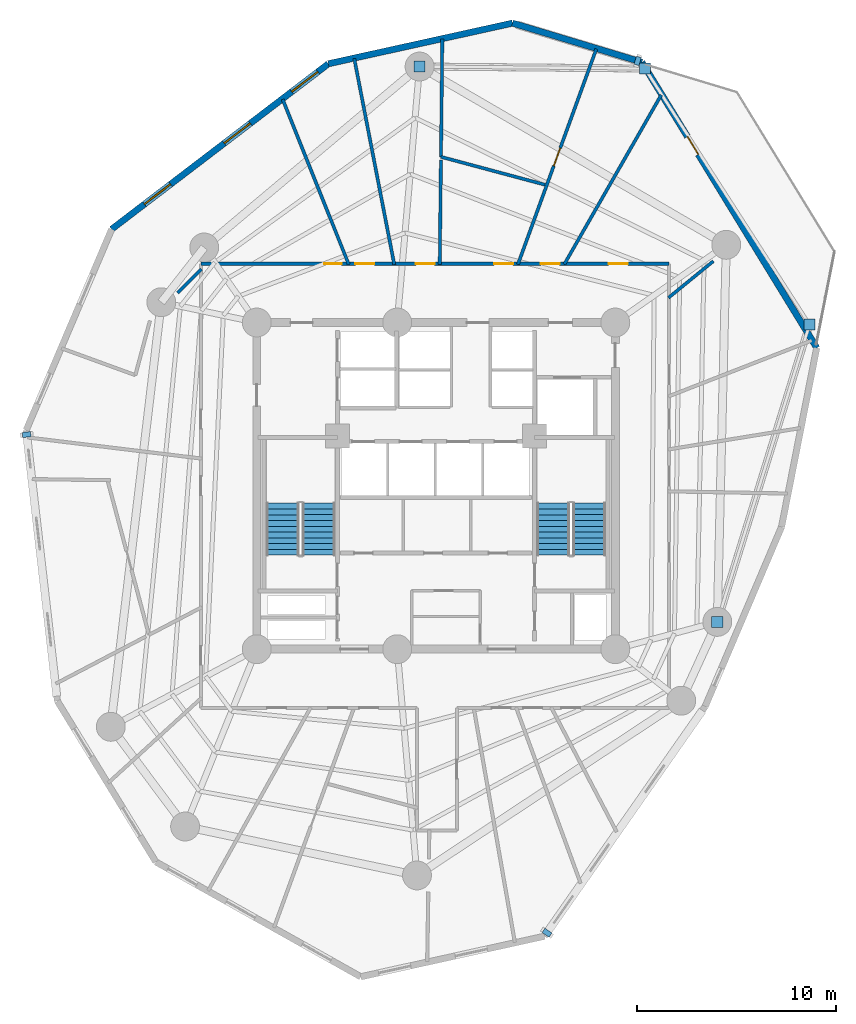
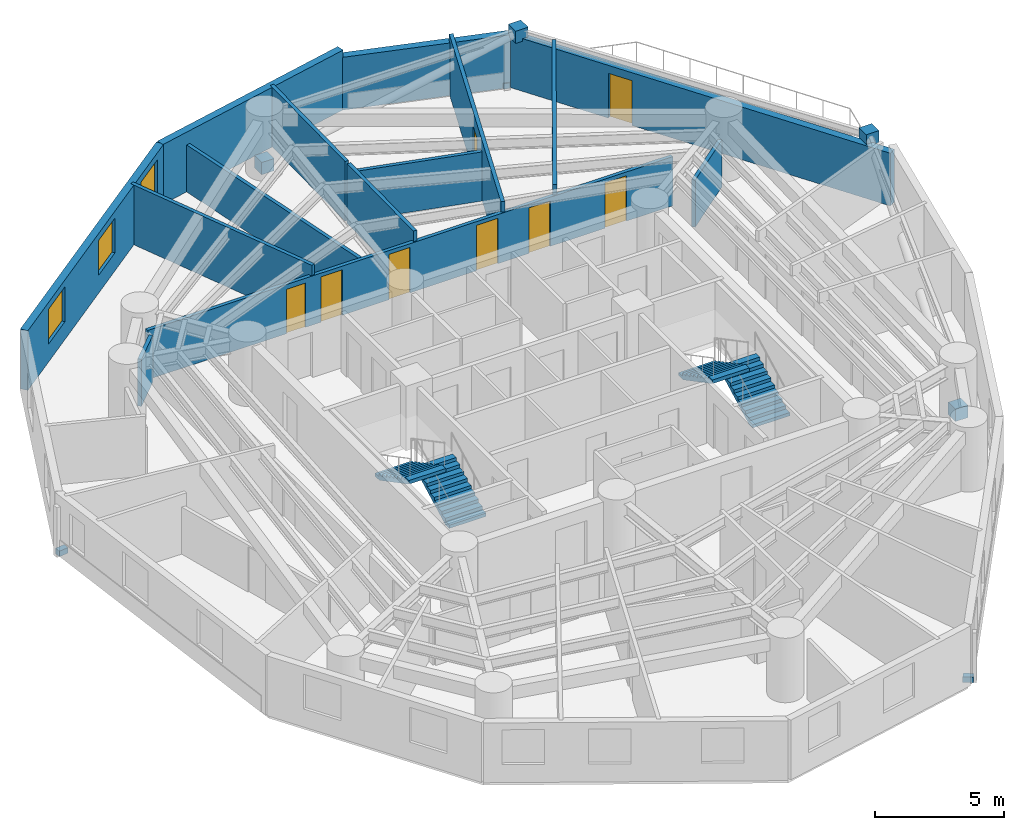
# One storey, part 6 of 9: 14 walls, 8 doors, 7 discrete accessories, 4 stair flights, 3 windows, 11 openings, 2 elements without a shape of their own.
"""IFC4 building model written with IfcOpenShell, lengths in metres."""

from ifc_helpers import new_model, si_unit, direction, frame, frame_2d, origin, origin_with_axes, origin_2d, place, context, subcontext, project, spatial, polyline, rectangle, outline, extrude, source, transform, mapped, material, layer, layer_set, type_object, element, fill, aggregate, save


model = new_model("IFC4")

# Units and contexts
model_context = context("Model", 3, precision=1e-05, world=origin(), true_north=direction((0.0, 1.0)))
body_context = subcontext(model_context, "Body", "Model", "MODEL_VIEW")
ifc_project = project(units=[si_unit("LENGTHUNIT", "METRE"), si_unit("AREAUNIT", "SQUARE_METRE"), si_unit("VOLUMEUNIT", "CUBIC_METRE"), si_unit("PLANEANGLEUNIT", "RADIAN"), si_unit("MASSUNIT", "GRAM", prefix="KILO")], contexts=[model_context])

# Site, building, storey
site_placement = place(None, origin())
site = spatial("IfcSite", under=ifc_project, at=site_placement, CompositionType="ELEMENT")
building_placement = place(site_placement, origin())
building = spatial("IfcBuilding", under=site, at=building_placement, Name="Karkom Vertical University and Central Library", CompositionType="ELEMENT")
storey_placement = place(building_placement, frame((0.0, 0.0, 129.75)))
storey = spatial("IfcBuildingStorey", under=building, at=storey_placement, Name="L36", CompositionType="ELEMENT", Elevation=129.75)

# Wall, opening, door
ifc_material_1 = material(Name="Brick-faced precast concrete C45/55", Category="masonry")
ifc_layer_1 = layer(ifc_material_1, 0.320068359375)
ifc_layer_set_1 = layer_set([ifc_layer_1], Name="Brick-faced precast concrete C45/55")
wall_type_1 = type_object("IfcWallType", Name="ENV-WL-BRK-320", PredefinedType="SOLIDWALL", material=ifc_layer_set_1)
wall_1_placement = place(storey_placement, frame((47.615478515625, 33.42529296875, 0.0), z_axis=(0.0, 0.0, 1.0), x_axis=(-0.522110980626, 0.852877555051, 0.0)))
wall_1 = element("IfcWall", 1, at=wall_1_placement, inside=storey, type_object=wall_type_1, Name="Level 36 Brick-Faced Precast Facade Wall 08", PredefinedType="SOLIDWALL", context=body_context, shape_type="SweptSolid", body=[
    extrude(rectangle(XDim=16.819091796875, YDim=0.320068359375, at=frame_2d((8.40966796875, 0.0))), origin(), (0.0, 0.0, 1.0), 2.4951171875),
])
opening_1_placement = place(wall_1_placement, frame((11.388427734375, 0.0, 0.0)))
opening_1 = element("IfcOpeningElement", 2, at=opening_1_placement, cuts=wall_1, Name="Opening TD-1", PredefinedType="OPENING", context=body_context, shape_type="SweptSolid", body=[
    extrude(rectangle(XDim=1.050048828125, YDim=2.1201171875, at=frame_2d((0.52490234375, 1.06005859375))), frame((0.0, 0.169921875, 0.0), z_axis=(0.0, -1.0, 0.0), x_axis=(1.0, 0.0, 0.0)), (0.0, 0.0, 1.0), 0.340087890625),
])
ifc_material_2 = material(Name="Thermally broken glazed aluminium terrace door", Category="aluminium")
door_type_1 = type_object("IfcDoorType", Name="ENV-DR-TERR", OperationType="NOTDEFINED", PredefinedType="DOOR", material=ifc_material_2)
shared_shape_1 = source(origin_with_axes(), body_context, "Body", "SweptSolid", [
    extrude(rectangle(XDim=1.050048828125, YDim=2.1201171875, at=frame_2d((0.52490234375, 1.06005859375))), frame((0.0, 0.02490234375, 0.0), z_axis=(0.0, -1.0, 0.0), x_axis=(1.0, 0.0, 0.0)), (0.0, 0.0, 1.0), 0.050048828125),
])
door_1_placement = place(opening_1_placement, origin())
door_1 = element("IfcDoor", 3, at=door_1_placement, inside=storey, type_object=door_type_1, Name="Level 36 Outdoor Terrace Access Door", OperationType="SINGLE_SWING_RIGHT", OverallHeight=2.1201171875, OverallWidth=1.050048828125, PredefinedType="DOOR", context=body_context, shape_type="MappedRepresentation", body=[
    mapped(shared_shape_1, transform((0.0, 0.0, 0.0), scale=1.0)),
])
fill(opening_1, door_1)

# Walls
wall_2_placement = place(storey_placement, frame((38.833984375, 47.77001953125, 0.0), z_axis=(0.0, 0.0, 1.0), x_axis=(-0.957328650051, 0.289001480606, 0.0)))
element("IfcWall", 4, at=wall_2_placement, inside=storey, type_object=wall_type_1, Name="Level 36 Brick-Faced Precast Facade Wall 09", PredefinedType="SOLIDWALL", context=body_context, shape_type="SweptSolid", body=[
    extrude(rectangle(XDim=6.784423828125, YDim=0.320068359375, at=frame_2d((3.39208984375, 0.0))), origin(), (0.0, 0.0, 1.0), 2.4951171875),
])
wall_3_placement = place(storey_placement, frame((32.339111328125, 49.730712890625, 0.0), z_axis=(0.0, 0.0, 1.0), x_axis=(-0.97649735888, -0.215529367144, 0.0)))
element("IfcWall", 5, at=wall_3_placement, inside=storey, type_object=wall_type_1, Name="Level 36 Brick-Faced Precast Facade Wall 10", PredefinedType="SOLIDWALL", context=body_context, shape_type="SweptSolid", body=[
    extrude(rectangle(XDim=9.46630859375, YDim=0.320068359375, at=frame_2d((4.733154296875, 0.0))), origin(), (0.0, 0.0, 1.0), 2.824951171875),
])

# Wall, openings, windows
wall_4_placement = place(storey_placement, frame((23.09521484375, 47.6904296875, 0.0), z_axis=(0.0, 0.0, 1.0), x_axis=(-0.794946718948, -0.606679251363, 0.0)))
wall_4 = element("IfcWall", 6, at=wall_4_placement, inside=storey, type_object=wall_type_1, Name="Level 36 Brick-Faced Precast Facade Wall 11", PredefinedType="SOLIDWALL", context=body_context, shape_type="SweptSolid", body=[
    extrude(rectangle(XDim=13.688720703125, YDim=0.320068359375, at=frame_2d((6.84423828125, 0.0))), origin(), (0.0, 0.0, 1.0), 2.824951171875),
])
opening_2_placement = place(wall_4_placement, frame((0.662841796875, 0.0, 0.85009765625)))
opening_2 = element("IfcOpeningElement", 7, at=opening_2_placement, cuts=wall_4, Name="Opening WN-06", PredefinedType="OPENING", context=body_context, shape_type="SweptSolid", body=[
    extrude(rectangle(XDim=1.64990234375, YDim=1.64990234375, at=frame_2d((0.824951171875, 0.824951171875))), frame((0.0, 0.169921875, 0.0), z_axis=(0.0, -1.0, 0.0), x_axis=(1.0, 0.0, 0.0)), (0.0, 0.0, 1.0), 0.340087890625),
])
opening_3_placement = place(wall_4_placement, frame((4.928955078125, 0.0, 0.85009765625)))
opening_3 = element("IfcOpeningElement", 8, at=opening_3_placement, cuts=wall_4, Name="Opening WN-06", PredefinedType="OPENING", context=body_context, shape_type="SweptSolid", body=[
    extrude(rectangle(XDim=1.64990234375, YDim=1.64990234375, at=frame_2d((0.824951171875, 0.824951171875))), frame((0.0, 0.169921875, 0.0), z_axis=(0.0, -1.0, 0.0), x_axis=(1.0, 0.0, 0.0)), (0.0, 0.0, 1.0), 0.340087890625),
])
opening_4_placement = place(wall_4_placement, frame((9.965576171875, 0.0, 0.85009765625)))
opening_4 = element("IfcOpeningElement", 9, at=opening_4_placement, cuts=wall_4, Name="Opening WN-06", PredefinedType="OPENING", context=body_context, shape_type="SweptSolid", body=[
    extrude(rectangle(XDim=1.64990234375, YDim=1.64990234375, at=frame_2d((0.824951171875, 0.824951171875))), frame((0.0, 0.169921875, 0.0), z_axis=(0.0, -1.0, 0.0), x_axis=(1.0, 0.0, 0.0)), (0.0, 0.0, 1.0), 0.340087890625),
])
ifc_material_3 = material(Name="Aluminium thermal-break frame with solar-control IGU", Category="aluminium")
window_type = type_object("IfcWindowType", Name="ENV-WIN-WN-06", PartitioningType="SINGLE_PANEL", PredefinedType="WINDOW", material=ifc_material_3)
shared_shape_2 = source(origin_with_axes(), body_context, "Body", "SweptSolid", [
    extrude(rectangle(XDim=1.64990234375, YDim=1.64990234375, at=frame_2d((0.824951171875, 0.824951171875))), frame((0.0, 0.030029296875, 0.0), z_axis=(0.0, -1.0, 0.0), x_axis=(1.0, 0.0, 0.0)), (0.0, 0.0, 1.0), 0.06005859375),
])
window_1_placement = place(opening_2_placement, origin())
window_1 = element("IfcWindow", 10, at=window_1_placement, inside=storey, type_object=window_type, Name="Level 36 Punched Window 11.1", OverallHeight=1.64990234375, OverallWidth=1.64990234375, PartitioningType="SINGLE_PANEL", PredefinedType="WINDOW", context=body_context, shape_type="MappedRepresentation", body=[
    mapped(shared_shape_2, transform((0.0, 0.0, 0.0), scale=1.0)),
])
fill(opening_2, window_1)
window_2_placement = place(opening_3_placement, origin())
window_2 = element("IfcWindow", 11, at=window_2_placement, inside=storey, type_object=window_type, Name="Level 36 Punched Window 11.2", OverallHeight=1.64990234375, OverallWidth=1.64990234375, PartitioningType="SINGLE_PANEL", PredefinedType="WINDOW", context=body_context, shape_type="MappedRepresentation", body=[
    mapped(shared_shape_2, transform((0.0, 0.0, 0.0), scale=1.0)),
])
fill(opening_3, window_2)
window_3_placement = place(opening_4_placement, origin())
window_3 = element("IfcWindow", 12, at=window_3_placement, inside=storey, type_object=window_type, Name="Level 36 Punched Window 11.3", OverallHeight=1.64990234375, OverallWidth=1.64990234375, PartitioningType="SINGLE_PANEL", PredefinedType="WINDOW", context=body_context, shape_type="MappedRepresentation", body=[
    mapped(shared_shape_2, transform((0.0, 0.0, 0.0), scale=1.0)),
])
fill(opening_4, window_3)

# Wall, openings, doors
ifc_material_4 = material(Name="Insulated metal-stud drywall 160mm", Category="gypsum")
ifc_layer_2 = layer(ifc_material_4, 0.159912109375)
ifc_layer_set_2 = layer_set([ifc_layer_2], Name="Insulated metal-stud drywall 160mm")
wall_type_2 = type_object("IfcWallType", Name="INT-WL-COR-160", PredefinedType="PARTITIONING", material=ifc_layer_set_2)
wall_5_placement = place(storey_placement, frame((16.699951171875, 37.64990234375, 0.0), z_axis=(0.0, 0.0, 1.0), x_axis=(1.0, 0.0, 0.0)))
wall_5 = element("IfcWall", 13, at=wall_5_placement, inside=storey, type_object=wall_type_2, Name="Level 36 Interior Partition Wall L36-CORW-CW-003", PredefinedType="PARTITIONING", context=body_context, shape_type="SweptSolid", body=[
    extrude(rectangle(XDim=23.5, YDim=0.159912109375, at=frame_2d((11.75, 0.0))), origin(), (0.0, 0.0, 1.0), 2.324951171875),
])
opening_5_placement = place(wall_5_placement, frame((20.464599609375, 0.0, 0.0)))
opening_5 = element("IfcOpeningElement", 14, at=opening_5_placement, cuts=wall_5, Name="Opening FD-RM2", PredefinedType="OPENING", context=body_context, shape_type="SweptSolid", body=[
    extrude(rectangle(XDim=0.9599609375, YDim=2.14990234375, at=frame_2d((0.47998046875, 1.074951171875))), frame((0.0, 0.08984375, 0.0), z_axis=(0.0, -1.0, 0.0), x_axis=(1.0, 0.0, 0.0)), (0.0, 0.0, 1.0), 0.179931640625),
])
opening_6_placement = place(wall_5_placement, frame((17.06005859375, 0.0, 0.0)))
opening_6 = element("IfcOpeningElement", 15, at=opening_6_placement, cuts=wall_5, Name="Opening D-RM1", PredefinedType="OPENING", context=body_context, shape_type="SweptSolid", body=[
    extrude(rectangle(XDim=0.949951171875, YDim=2.14990234375, at=frame_2d((0.47509765625, 1.074951171875))), frame((0.0, 0.08984375, 0.0), z_axis=(0.0, -1.0, 0.0), x_axis=(1.0, 0.0, 0.0)), (0.0, 0.0, 1.0), 0.179931640625),
])
opening_7_placement = place(wall_5_placement, frame((14.7099609375, 0.0, 0.0)))
opening_7 = element("IfcOpeningElement", 16, at=opening_7_placement, cuts=wall_5, Name="Opening FD-RM2", PredefinedType="OPENING", context=body_context, shape_type="SweptSolid", body=[
    extrude(rectangle(XDim=0.9599609375, YDim=2.14990234375, at=frame_2d((0.47998046875, 1.074951171875))), frame((0.0, 0.08984375, 0.0), z_axis=(0.0, -1.0, 0.0), x_axis=(1.0, 0.0, 0.0)), (0.0, 0.0, 1.0), 0.179931640625),
])
opening_8_placement = place(wall_5_placement, frame((10.784912109375, 0.0, 0.0)))
opening_8 = element("IfcOpeningElement", 17, at=opening_8_placement, cuts=wall_5, Name="Opening D-RM1", PredefinedType="OPENING", context=body_context, shape_type="SweptSolid", body=[
    extrude(rectangle(XDim=0.949951171875, YDim=2.14990234375, at=frame_2d((0.47509765625, 1.074951171875))), frame((0.0, 0.08984375, 0.0), z_axis=(0.0, -1.0, 0.0), x_axis=(1.0, 0.0, 0.0)), (0.0, 0.0, 1.0), 0.179931640625),
])
opening_9_placement = place(wall_5_placement, frame((7.75, 0.0, 0.0)))
opening_9 = element("IfcOpeningElement", 18, at=opening_9_placement, cuts=wall_5, Name="Opening D-RM1", PredefinedType="OPENING", context=body_context, shape_type="SweptSolid", body=[
    extrude(rectangle(XDim=0.949951171875, YDim=2.14990234375, at=frame_2d((0.47509765625, 1.074951171875))), frame((0.0, 0.08984375, 0.0), z_axis=(0.0, -1.0, 0.0), x_axis=(1.0, 0.0, 0.0)), (0.0, 0.0, 1.0), 0.179931640625),
])
opening_10_placement = place(wall_5_placement, frame((6.1953125, 0.0, 0.0)))
opening_10 = element("IfcOpeningElement", 19, at=opening_10_placement, cuts=wall_5, Name="Opening FD-BTH1", PredefinedType="OPENING", context=body_context, shape_type="SweptSolid", body=[
    extrude(rectangle(XDim=0.860107421875, YDim=2.10009765625, at=frame_2d((0.43017578125, 1.050048828125))), frame((0.0, 0.08984375, 0.0), z_axis=(0.0, -1.0, 0.0), x_axis=(1.0, 0.0, 0.0)), (0.0, 0.0, 1.0), 0.179931640625),
])
ifc_material_5 = material(Name="Fire-rated oak veneer door", Category="wood")
door_type_2 = type_object("IfcDoorType", Name="INT-DR-FRM2", OperationType="NOTDEFINED", PredefinedType="DOOR", material=ifc_material_5)
shared_shape_3 = source(origin_with_axes(), body_context, "Body", "SweptSolid", [
    extrude(rectangle(XDim=0.9599609375, YDim=2.14990234375, at=frame_2d((0.47998046875, 1.074951171875))), frame((0.0, 0.02490234375, 0.0), z_axis=(0.0, -1.0, 0.0), x_axis=(1.0, 0.0, 0.0)), (0.0, 0.0, 1.0), 0.050048828125),
])
door_2_placement = place(opening_5_placement, origin())
door_2 = element("IfcDoor", 20, at=door_2_placement, inside=storey, type_object=door_type_2, Name="Level 36 Room Entry Door 150", OperationType="SINGLE_SWING_LEFT", OverallHeight=2.14990234375, OverallWidth=0.9599609375, PredefinedType="DOOR", context=body_context, shape_type="MappedRepresentation", body=[
    mapped(shared_shape_3, transform((0.0, 0.0, 0.0), scale=1.0)),
])
fill(opening_5, door_2)
door_3_placement = place(opening_7_placement, origin())
door_3 = element("IfcDoor", 21, at=door_3_placement, inside=storey, type_object=door_type_2, Name="Level 36 Room Entry Door 180", OperationType="SINGLE_SWING_LEFT", OverallHeight=2.14990234375, OverallWidth=0.9599609375, PredefinedType="DOOR", context=body_context, shape_type="MappedRepresentation", body=[
    mapped(shared_shape_3, transform((0.0, 0.0, 0.0), scale=1.0)),
])
fill(opening_7, door_3)
ifc_material_6 = material(Name="Fire-rated moisture-resistant oak door", Category="wood")
door_type_3 = type_object("IfcDoorType", Name="INT-DR-FBTH1", OperationType="NOTDEFINED", PredefinedType="DOOR", material=ifc_material_6)
shared_shape_4 = source(origin_with_axes(), body_context, "Body", "SweptSolid", [
    extrude(rectangle(XDim=0.860107421875, YDim=2.10009765625, at=frame_2d((0.43017578125, 1.050048828125))), frame((0.0, 0.02490234375, 0.0), z_axis=(0.0, -1.0, 0.0), x_axis=(1.0, 0.0, 0.0)), (0.0, 0.0, 1.0), 0.050048828125),
])
door_4_placement = place(opening_10_placement, origin())
door_4 = element("IfcDoor", 22, at=door_4_placement, inside=storey, type_object=door_type_3, Name="Level 36 Room Entry Door 210", OperationType="SINGLE_SWING_RIGHT", OverallHeight=2.10009765625, OverallWidth=0.860107421875, PredefinedType="DOOR", context=body_context, shape_type="MappedRepresentation", body=[
    mapped(shared_shape_4, transform((0.0, 0.0, 0.0), scale=1.0)),
])
fill(opening_10, door_4)
ifc_material_7 = material(Name="Solid-core oak veneer door", Category="wood")
door_type_4 = type_object("IfcDoorType", Name="INT-DR-RM1", OperationType="NOTDEFINED", PredefinedType="DOOR", material=ifc_material_7)
shared_shape_5 = source(origin_with_axes(), body_context, "Body", "SweptSolid", [
    extrude(rectangle(XDim=0.949951171875, YDim=2.14990234375, at=frame_2d((0.47509765625, 1.074951171875))), frame((0.0, 0.02490234375, 0.0), z_axis=(0.0, -1.0, 0.0), x_axis=(1.0, 0.0, 0.0)), (0.0, 0.0, 1.0), 0.050048828125),
])
door_5_placement = place(opening_6_placement, origin())
door_5 = element("IfcDoor", 23, at=door_5_placement, inside=storey, type_object=door_type_4, Name="Level 36 Room Entry Door 160", OperationType="SINGLE_SWING_RIGHT", OverallHeight=2.14990234375, OverallWidth=0.949951171875, PredefinedType="DOOR", context=body_context, shape_type="MappedRepresentation", body=[
    mapped(shared_shape_5, transform((0.0, 0.0, 0.0), scale=1.0)),
])
fill(opening_6, door_5)
door_6_placement = place(opening_8_placement, origin())
door_6 = element("IfcDoor", 24, at=door_6_placement, inside=storey, type_object=door_type_4, Name="Level 36 Room Entry Door 190", OperationType="SINGLE_SWING_RIGHT", OverallHeight=2.14990234375, OverallWidth=0.949951171875, PredefinedType="DOOR", context=body_context, shape_type="MappedRepresentation", body=[
    mapped(shared_shape_5, transform((0.0, 0.0, 0.0), scale=1.0)),
])
fill(opening_8, door_6)
door_7_placement = place(opening_9_placement, origin())
door_7 = element("IfcDoor", 25, at=door_7_placement, inside=storey, type_object=door_type_4, Name="Level 36 Room Entry Door 200", OperationType="SINGLE_SWING_LEFT", OverallHeight=2.14990234375, OverallWidth=0.949951171875, PredefinedType="DOOR", context=body_context, shape_type="MappedRepresentation", body=[
    mapped(shared_shape_5, transform((0.0, 0.0, 0.0), scale=1.0)),
])
fill(opening_9, door_7)

# Wall, opening, door
wall_6_placement = place(storey_placement, frame((32.61181640625, 37.621826171875, 0.0), z_axis=(0.0, 0.0, 1.0), x_axis=(0.342017337297, 0.939693642092, 0.0)))
wall_6 = element("IfcWall", 26, at=wall_6_placement, inside=storey, type_object=wall_type_2, Name="Level 36 Interior Partition Wall L36-PW-020", PredefinedType="PARTITIONING", context=body_context, shape_type="SweptSolid", body=[
    extrude(rectangle(XDim=11.506103515625, YDim=0.159912109375, at=frame_2d((5.7529296875, 0.0))), origin(), (0.0, 0.0, 1.0), 2.824951171875),
])
opening_11_placement = place(wall_6_placement, frame((5.260498046875, 0.0, 0.0)))
opening_11 = element("IfcOpeningElement", 27, at=opening_11_placement, cuts=wall_6, Name="Opening D-RM1", PredefinedType="OPENING", context=body_context, shape_type="SweptSolid", body=[
    extrude(rectangle(XDim=0.949951171875, YDim=2.14990234375, at=frame_2d((0.47509765625, 1.074951171875))), frame((0.0, 0.08984375, 0.0), z_axis=(0.0, -1.0, 0.0), x_axis=(1.0, 0.0, 0.0)), (0.0, 0.0, 1.0), 0.179931640625),
])
door_8_placement = place(opening_11_placement, origin())
door_8 = element("IfcDoor", 28, at=door_8_placement, inside=storey, type_object=door_type_4, Name="Level 36 Room Entry Door 170", OperationType="SINGLE_SWING_RIGHT", OverallHeight=2.14990234375, OverallWidth=0.949951171875, PredefinedType="DOOR", context=body_context, shape_type="MappedRepresentation", body=[
    mapped(shared_shape_5, transform((0.0, 0.0, 0.0), scale=1.0)),
])
fill(opening_11, door_8)

# Walls
wall_7_placement = place(storey_placement, frame((26.404541015625, 37.60595703125, 0.0), z_axis=(0.0, 0.0, 1.0), x_axis=(-0.19062474147, 0.981662980834, 0.0)))
element("IfcWall", 29, at=wall_7_placement, inside=storey, type_object=wall_type_2, Name="Level 36 Interior Partition Wall L36-PW-024", PredefinedType="PARTITIONING", context=body_context, shape_type="SweptSolid", body=[
    extrude(rectangle(XDim=10.539306640625, YDim=0.159912109375, at=frame_2d((5.26953125, 0.0))), origin(), (0.0, 0.0, 1.0), 2.22509765625),
])
wall_8_placement = place(storey_placement, frame((34.9384765625, 37.6240234375, 0.0), z_axis=(0.0, 0.0, 1.0), x_axis=(0.496885166333, 0.867816300537, 0.0)))
element("IfcWall", 30, at=wall_8_placement, inside=storey, type_object=wall_type_2, Name="Level 36 Interior Partition Wall L36-PW-019", PredefinedType="PARTITIONING", context=body_context, shape_type="SweptSolid", body=[
    extrude(rectangle(XDim=9.79248046875, YDim=0.159912109375, at=frame_2d((4.896240234375, 0.0))), origin(), (0.0, 0.0, 1.0), 2.824951171875),
])
wall_9_placement = place(storey_placement, frame((24.120849609375, 37.608154296875, 0.0), z_axis=(0.0, 0.0, 1.0), x_axis=(-0.37142835735, 0.9284616176, 0.0)))
element("IfcWall", 31, at=wall_9_placement, inside=storey, type_object=wall_type_2, Name="Level 36 Interior Partition Wall L36-PW-025", PredefinedType="PARTITIONING", context=body_context, shape_type="SweptSolid", body=[
    extrude(rectangle(XDim=8.936767578125, YDim=0.159912109375, at=frame_2d((4.46826171875, 0.0))), origin(), (0.0, 0.0, 1.0), 2.824951171875),
])
wall_10_placement = place(storey_placement, frame((28.747802734375, 43.016357421875, 0.0), z_axis=(0.0, 0.0, 1.0), x_axis=(0.011402332573, 0.999934991293, 0.0)))
element("IfcWall", 32, at=wall_10_placement, inside=storey, type_object=wall_type_2, Name="Level 36 Interior Partition Wall L36-PW-022", PredefinedType="PARTITIONING", context=body_context, shape_type="SweptSolid", body=[
    extrude(rectangle(XDim=5.90966796875, YDim=0.159912109375, at=frame_2d((2.954833984375, 0.0))), origin(), (0.0, 0.0, 1.0), 2.824951171875),
])
wall_11_placement = place(storey_placement, frame((33.97314453125, 41.6162109375, 0.0), z_axis=(0.0, 0.0, 1.0), x_axis=(-0.965924884927, 0.258822558289, 0.0)))
element("IfcWall", 33, at=wall_11_placement, inside=storey, type_object=wall_type_2, Name="Level 36 Interior Partition Wall L36-PW-021", PredefinedType="PARTITIONING", context=body_context, shape_type="SweptSolid", body=[
    extrude(rectangle(XDim=5.40966796875, YDim=0.159912109375, at=frame_2d((2.704833984375, 0.0))), origin(), (0.0, 0.0, 1.0), 2.324951171875),
])
wall_12_placement = place(storey_placement, frame((28.6865234375, 37.6201171875, 0.0), z_axis=(0.0, 0.0, 1.0), x_axis=(0.011386763484, 0.999935168707, 0.0)))
element("IfcWall", 34, at=wall_12_placement, inside=storey, type_object=wall_type_2, Name="Level 36 Interior Partition Wall L36-PW-023", PredefinedType="PARTITIONING", context=body_context, shape_type="SweptSolid", body=[
    extrude(rectangle(XDim=5.2314453125, YDim=0.159912109375, at=frame_2d((2.61572265625, 0.0))), origin(), (0.0, 0.0, 1.0), 2.824951171875),
])
wall_13_placement = place(storey_placement, frame((40.165283203125, 35.93994140625, 0.0), z_axis=(0.0, 0.0, 1.0), x_axis=(0.774801226036, 0.632204919415, 0.0)))
element("IfcWall", 35, at=wall_13_placement, inside=storey, type_object=wall_type_2, Name="Level 36 Interior Partition Wall L36-PW-018", PredefinedType="PARTITIONING", context=body_context, shape_type="SweptSolid", body=[
    extrude(rectangle(XDim=2.91064453125, YDim=0.159912109375, at=frame_2d((1.455322265625, 0.0))), origin(), (0.0, 0.0, 1.0), 2.22509765625),
])
wall_14_placement = place(storey_placement, frame((16.72119140625, 37.373779296875, 0.0), z_axis=(0.0, 0.0, 1.0), x_axis=(-0.707034498357, -0.707179056627, 0.0)))
element("IfcWall", 36, at=wall_14_placement, inside=storey, type_object=wall_type_2, Name="Level 36 Interior Partition Wall L36-PW-026", PredefinedType="PARTITIONING", context=body_context, shape_type="SweptSolid", body=[
    extrude(rectangle(XDim=1.68896484375, YDim=0.159912109375, at=frame_2d((0.844482421875, 0.0))), origin(), (0.0, 0.0, 1.0), 2.22509765625),
])

# Stair, stair flights
ifc_material_8 = material(Name="Concrete C45/55", Category="concrete")
stair_type = type_object("IfcStairType", Name="INT-STR-ST-MAIN", PredefinedType="HALF_TURN_STAIR", material=ifc_material_8)
stair_1_placement = place(storey_placement, origin())
stair_1 = element("IfcStair", 37, at=stair_1_placement, inside=storey, type_object=stair_type, Name="Level 36 Tower Protected Exit Stair ST-1", PredefinedType="HALF_TURN_STAIR")
stair_flight_type = type_object("IfcStairFlightType", Name="INT-SFL-ST-MAIN", PredefinedType="STRAIGHT", material=ifc_material_8)
stair_flight_1_placement = place(storey_placement, frame((22.614990234375, 23.02001953125, 0.0), z_axis=(0.0, 0.0, 1.0), x_axis=(0.0, 1.0, 0.0)))
stair_flight_1 = element("IfcStairFlight", 38, at=stair_flight_1_placement, type_object=stair_flight_type, Name="ST-1 flight 1", NumberOfRisers=10, NumberOfTreads=9, PredefinedType="STRAIGHT", RiserHeight=0.1525, TreadLength=0.29, context=body_context, shape_type="SweptSolid", body=[
    extrude(outline(polyline([(0.0, 0.0), (0.0, 0.152587890625), (0.2900390625, 0.152587890625), (0.2900390625, 0.304931640625), (0.580078125, 0.304931640625), (0.580078125, 0.45751953125), (0.8701171875, 0.45751953125), (0.8701171875, 0.610107421875), (1.159912109375, 0.610107421875), (1.159912109375, 0.762451171875), (1.449951171875, 0.762451171875), (1.449951171875, 0.9150390625), (1.739990234375, 0.9150390625), (1.739990234375, 1.0673828125), (2.030029296875, 1.0673828125), (2.030029296875, 1.219970703125), (2.320068359375, 1.219970703125), (2.320068359375, 1.37255859375), (2.610107421875, 1.37255859375), (2.610107421875, 1.52490234375), (2.610107421875, 1.203125), (0.322021484375, 0.0), (0.0, 0.0)])), frame((0.0, 0.824951171875, 0.0), z_axis=(0.0, -1.0, 0.0), x_axis=(1.0, 0.0, 0.0)), (0.0, 0.0, 1.0), 1.64990234375),
])
stair_flight_2_placement = place(storey_placement, frame((20.804931640625, 25.6298828125, 1.52490234375), z_axis=(0.0, 0.0, 1.0), x_axis=(0.0, -1.0, 0.0)))
stair_flight_2 = element("IfcStairFlight", 39, at=stair_flight_2_placement, type_object=stair_flight_type, Name="ST-1 flight 2", NumberOfRisers=10, NumberOfTreads=9, PredefinedType="STRAIGHT", RiserHeight=0.1525, TreadLength=0.29, context=body_context, shape_type="SweptSolid", body=[
    extrude(outline(polyline([(0.0, 0.0), (0.0, 0.152587890625), (0.2900390625, 0.152587890625), (0.2900390625, 0.304931640625), (0.580078125, 0.304931640625), (0.580078125, 0.45751953125), (0.8701171875, 0.45751953125), (0.8701171875, 0.610107421875), (1.159912109375, 0.610107421875), (1.159912109375, 0.762451171875), (1.449951171875, 0.762451171875), (1.449951171875, 0.9150390625), (1.739990234375, 0.9150390625), (1.739990234375, 1.0673828125), (2.030029296875, 1.0673828125), (2.030029296875, 1.219970703125), (2.320068359375, 1.219970703125), (2.320068359375, 1.37255859375), (2.610107421875, 1.37255859375), (2.610107421875, 1.52490234375), (2.610107421875, 1.203125), (0.322021484375, 0.0), (0.0, 0.0)])), frame((0.0, 0.824951171875, 0.0), z_axis=(0.0, -1.0, 0.0), x_axis=(1.0, 0.0, 0.0)), (0.0, 0.0, 1.0), 1.64990234375),
])
aggregate(stair_1, [stair_flight_1, stair_flight_2])

stair_2_placement = place(storey_placement, origin())
stair_2 = element("IfcStair", 40, at=stair_2_placement, inside=storey, type_object=stair_type, Name="Level 36 Tower Protected Exit Stair ST-2", PredefinedType="HALF_TURN_STAIR")
stair_flight_3_placement = place(storey_placement, frame((36.195068359375, 23.02001953125, 0.0), z_axis=(0.0, 0.0, 1.0), x_axis=(0.0, 1.0, 0.0)))
stair_flight_3 = element("IfcStairFlight", 41, at=stair_flight_3_placement, type_object=stair_flight_type, Name="ST-2 flight 1", NumberOfRisers=10, NumberOfTreads=9, PredefinedType="STRAIGHT", RiserHeight=0.1525, TreadLength=0.29, context=body_context, shape_type="SweptSolid", body=[
    extrude(outline(polyline([(0.0, 0.0), (0.0, 0.152587890625), (0.2900390625, 0.152587890625), (0.2900390625, 0.304931640625), (0.580078125, 0.304931640625), (0.580078125, 0.45751953125), (0.8701171875, 0.45751953125), (0.8701171875, 0.610107421875), (1.159912109375, 0.610107421875), (1.159912109375, 0.762451171875), (1.449951171875, 0.762451171875), (1.449951171875, 0.9150390625), (1.739990234375, 0.9150390625), (1.739990234375, 1.0673828125), (2.030029296875, 1.0673828125), (2.030029296875, 1.219970703125), (2.320068359375, 1.219970703125), (2.320068359375, 1.37255859375), (2.610107421875, 1.37255859375), (2.610107421875, 1.52490234375), (2.610107421875, 1.203125), (0.322021484375, 0.0), (0.0, 0.0)])), frame((0.0, 0.824951171875, 0.0), z_axis=(0.0, -1.0, 0.0), x_axis=(1.0, 0.0, 0.0)), (0.0, 0.0, 1.0), 1.64990234375),
])
stair_flight_4_placement = place(storey_placement, frame((34.385009765625, 25.6298828125, 1.52490234375), z_axis=(0.0, 0.0, 1.0), x_axis=(0.0, -1.0, 0.0)))
stair_flight_4 = element("IfcStairFlight", 42, at=stair_flight_4_placement, type_object=stair_flight_type, Name="ST-2 flight 2", NumberOfRisers=10, NumberOfTreads=9, PredefinedType="STRAIGHT", RiserHeight=0.1525, TreadLength=0.29, context=body_context, shape_type="SweptSolid", body=[
    extrude(outline(polyline([(0.0, 0.0), (0.0, 0.152587890625), (0.2900390625, 0.152587890625), (0.2900390625, 0.304931640625), (0.580078125, 0.304931640625), (0.580078125, 0.45751953125), (0.8701171875, 0.45751953125), (0.8701171875, 0.610107421875), (1.159912109375, 0.610107421875), (1.159912109375, 0.762451171875), (1.449951171875, 0.762451171875), (1.449951171875, 0.9150390625), (1.739990234375, 0.9150390625), (1.739990234375, 1.0673828125), (2.030029296875, 1.0673828125), (2.030029296875, 1.219970703125), (2.320068359375, 1.219970703125), (2.320068359375, 1.37255859375), (2.610107421875, 1.37255859375), (2.610107421875, 1.52490234375), (2.610107421875, 1.203125), (0.322021484375, 0.0), (0.0, 0.0)])), frame((0.0, 0.824951171875, 0.0), z_axis=(0.0, -1.0, 0.0), x_axis=(1.0, 0.0, 0.0)), (0.0, 0.0, 1.0), 1.64990234375),
])
aggregate(stair_2, [stair_flight_3, stair_flight_4])

# Discrete accessories
ifc_material_9 = material(Name="Ductile cast iron EN-GJS-400-15", Category="metal")
discrete_accessory_type_1 = type_object("IfcDiscreteAccessoryType", Name="STR-ACC-NODECAP", PredefinedType="BRACKET", material=ifc_material_9)
shared_shape_6 = source(origin_with_axes(), body_context, "Body", "SweptSolid", [
    extrude(rectangle(XDim=0.56005859375, YDim=0.56005859375, at=origin_2d()), origin(), (0.0, 0.0, 1.0), 0.580078125),
])
for number, where, z_axis, x_axis, name in (
    (43, (42.618896484375, 19.672119140625, 0.06005859375), (0.0, 0.0, 1.0), (1.0, 0.0, 0.0), "Level 36 Cast Node Connector L36-SKG-KNEE-1 A"),
    (44, (47.25146484375, 34.605224609375, 2.369873046875), (0.0, 0.0, 1.0), (1.0, 0.0, 0.0), "Level 36 Cast Node Connector L36-SKG-KNEE-1 B"),
    (45, (27.674072265625, 47.551025390625, 0.06005859375), (0.0, 0.0, 1.0), (1.0, 0.0, 0.0), "Level 36 Cast Node Connector L36-SKG-KNEE-2 A"),
    (46, (38.983154296875, 47.453125, 2.369873046875), (0.0, 0.0, 1.0), (1.0, 0.0, 0.0), "Level 36 Cast Node Connector L36-SKG-KNEE-2 B"),
):
    element("IfcDiscreteAccessory", number, at=place(storey_placement, frame(where, z_axis=z_axis, x_axis=x_axis)), inside=storey, type_object=discrete_accessory_type_1, Name=name, PredefinedType="BRACKET", context=body_context, shape_type="MappedRepresentation", body=[
        mapped(shared_shape_6, transform((0.0, 0.0, 0.0), scale=1.0)),
    ])
ifc_material_10 = material(Name="Austenitic stainless steel 316", Category="steel")
discrete_accessory_type_2 = type_object("IfcDiscreteAccessoryType", Name="INT-ACC-BRACKET", PredefinedType="BRACKET", material=ifc_material_10)
shared_shape_7 = source(origin_with_axes(), body_context, "Body", "SweptSolid", [
    extrude(rectangle(XDim=0.260009765625, YDim=0.419921875, at=origin_2d()), origin(), (0.0, 0.0, 1.0), 0.260009765625),
])
for number, where, z_axis, x_axis, name in (
    (47, (7.946044921875, 29.07470703125, 0.0), (0.0, 0.0, 1.0), (0.114417005998, -0.99343281038, 0.0), "Level 36 Sun-Breaker Stainless Corbel Bracket 16"),
    (48, (34.071044921875, 4.066162109375, 0.0), (0.0, 0.0, 1.0), (0.573147450739, 0.819452255907, 0.0), "Level 36 Sun-Breaker Stainless Corbel Bracket 17"),
    (49, (38.62353515625, 47.83349609375, 0.0), (0.0, 0.0, 1.0), (-0.957319497532, 0.289031796944, 0.0), "Level 36 Sun-Breaker Stainless Corbel Bracket 18"),
):
    element("IfcDiscreteAccessory", number, at=place(storey_placement, frame(where, z_axis=z_axis, x_axis=x_axis)), inside=storey, type_object=discrete_accessory_type_2, Name=name, PredefinedType="BRACKET", context=body_context, shape_type="MappedRepresentation", body=[
        mapped(shared_shape_7, transform((0.0, 0.0, 0.0), scale=1.0)),
    ])

save(model, "model.ifc")
